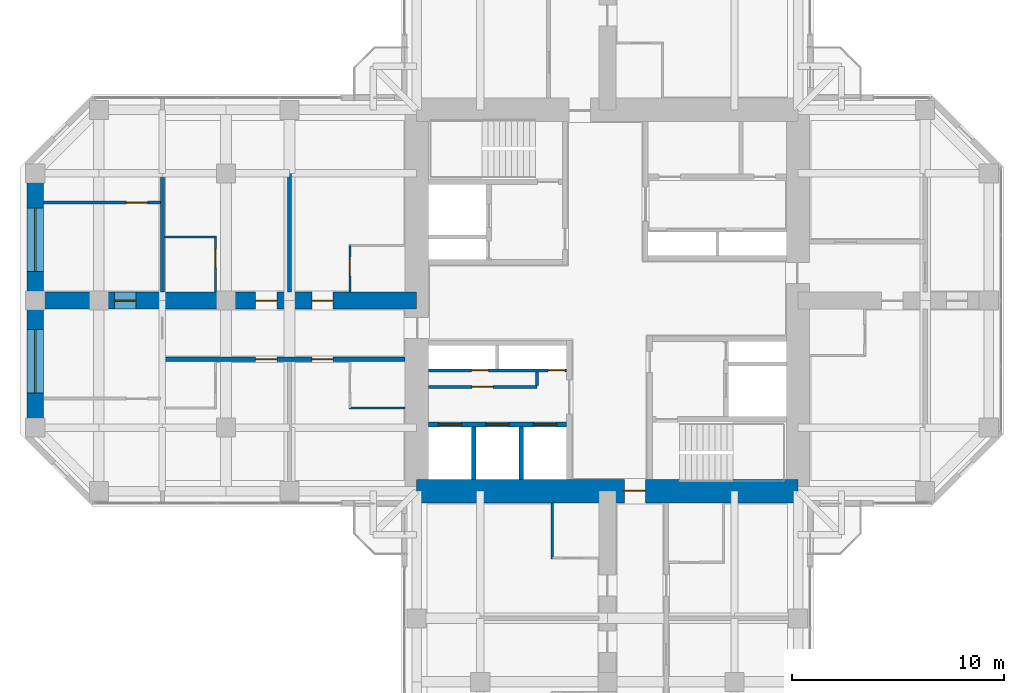
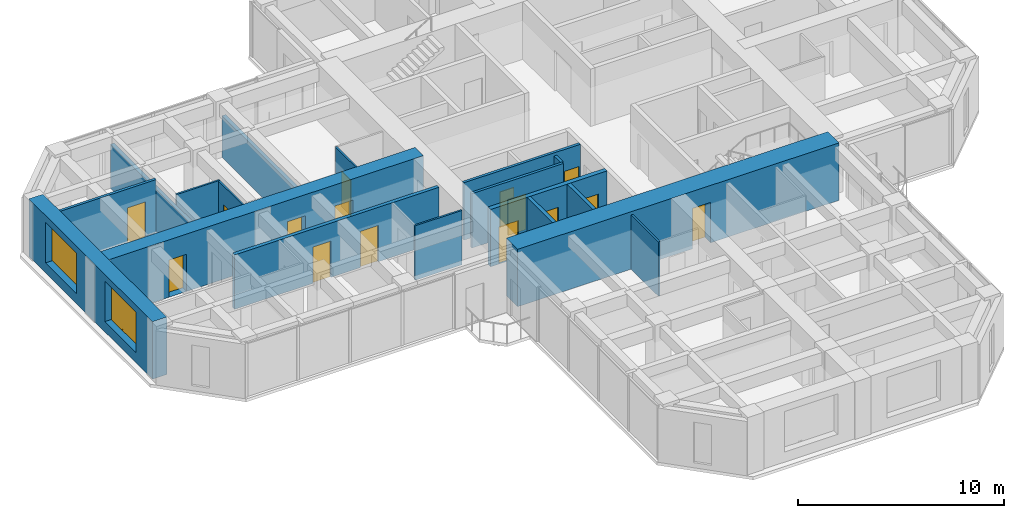
# One storey, part 9 of 13: 18 walls, 15 doors, 2 windows, 17 openings.
"""IFC4 building model written with IfcOpenShell, lengths in metres."""

from ifc_helpers import new_model, si_unit, direction, frame, frame_2d, origin, place, context, subcontext, project, spatial, rectangle, hollow_rectangle, extrude, material, layer, layer_set, constituent, constituent_set, type_object, element, fill, save


model = new_model("IFC4")

# Units and contexts
model_context = context("Model", 3, precision=1e-05, world=origin(), true_north=direction((0.0, 1.0)))
body_context = subcontext(model_context, "Body", "Model", "MODEL_VIEW")
ifc_project = project(units=[si_unit("LENGTHUNIT", "METRE"), si_unit("AREAUNIT", "SQUARE_METRE"), si_unit("VOLUMEUNIT", "CUBIC_METRE"), si_unit("PLANEANGLEUNIT", "RADIAN"), si_unit("MASSUNIT", "GRAM", prefix="KILO")], contexts=[model_context])

# Site, building, storey
site_placement = place(None, origin())
site = spatial("IfcSite", under=ifc_project, at=site_placement, CompositionType="ELEMENT")
building_placement = place(site_placement, origin())
building = spatial("IfcBuilding", under=site, at=building_placement, Name="Torre Cruceta", CompositionType="ELEMENT")
storey_placement = place(building_placement, frame((0.0, 0.0, 193.300048828125)))
storey = spatial("IfcBuildingStorey", under=building, at=storey_placement, Name="L48", CompositionType="ELEMENT", Elevation=193.300048828125)

# Walls
ifc_material_1 = material(Name="Water-resistant plasterboard on steel studs", Category="steel")
ifc_layer_1 = layer(ifc_material_1, 0.10009765625)
ifc_layer_set_1 = layer_set([ifc_layer_1], Name="Water-resistant plasterboard on steel studs")
wall_type_1 = type_object("IfcWallType", Name="BATHROOM WALL 100", PredefinedType="PARTITIONING", material=ifc_layer_set_1)
for number, where, z_axis, x_axis, name in (
    (1, (-2.60009765625, -9.550048828125, 0.0), (0.0, 0.0, 1.0), (0.0, -1.0, 0.0), "PT4 L48-S-U1RBB"),
    (2, (-9.550048828125, -5.074951171875, 0.0), (0.0, 0.0, 1.0), (-1.0, 0.0, 0.0), "PT4 L48-W-U1LBB"),
):
    element("IfcWall", number, at=place(storey_placement, frame(where, z_axis=z_axis, x_axis=x_axis)), inside=storey, type_object=wall_type_1, Name=name, PredefinedType="PARTITIONING", context=body_context, shape_type="SweptSolid", body=[
        extrude(rectangle(XDim=2.64990234375, YDim=0.10009765625, at=frame_2d((1.324951171875, 0.0))), origin(), (0.0, 0.0, 1.0), 3.219970703125),
    ])

# Wall, opening, door
wall_1_placement = place(storey_placement, frame((-12.14990234375, 2.60009765625, 0.0), z_axis=(0.0, 0.0, 1.0), x_axis=(0.0, -1.0, 0.0)))
wall_1 = element("IfcWall", 3, at=wall_1_placement, inside=storey, type_object=wall_type_1, Name="PT4 L48-W-U1RBS", PredefinedType="PARTITIONING", context=body_context, shape_type="SweptSolid", body=[
    extrude(rectangle(XDim=2.2001953125, YDim=0.10009765625, at=frame_2d((1.10009765625, 0.0))), origin(), (0.0, 0.0, 1.0), 3.219970703125),
])
opening_1_placement = place(wall_1_placement, frame((0.550048828125, 0.0, 0.0)))
opening_1 = element("IfcOpeningElement", 4, at=opening_1_placement, cuts=wall_1, Name="Opening D7", PredefinedType="OPENING", context=body_context, shape_type="SweptSolid", body=[
    extrude(rectangle(XDim=0.89990234375, YDim=2.10009765625, at=frame_2d((0.449951171875, 1.050048828125))), frame((0.0, 0.06005859375, 0.0), z_axis=(0.0, -1.0, 0.0), x_axis=(1.0, 0.0, 0.0)), (0.0, 0.0, 1.0), 0.1201171875),
])
ifc_material_2 = material(Name="Timber door", Category="wood")
door_type_1 = type_object("IfcDoorType", Name="BATHROOM DOOR 900X2100", OperationType="SINGLE_SWING_LEFT", PredefinedType="DOOR", material=ifc_material_2)
door_1_placement = place(opening_1_placement, origin())
door_1 = element("IfcDoor", 5, at=door_1_placement, inside=storey, type_object=door_type_1, Name="D7 L48-W-U1RBS-D1", OperationType="SINGLE_SWING_LEFT", OverallHeight=2.10009765625, OverallWidth=0.89990234375, PredefinedType="DOOR", context=body_context, shape_type="SweptSolid", body=[
    extrude(rectangle(XDim=0.89990234375, YDim=2.10009765625, at=frame_2d((0.449951171875, 1.050048828125))), frame((0.0, 0.02490234375, 0.0), z_axis=(0.0, -1.0, 0.0), x_axis=(1.0, 0.0, 0.0)), (0.0, 0.0, 1.0), 0.050048828125),
])
fill(opening_1, door_1)

# Wall
wall_2_placement = place(storey_placement, frame((-18.449951171875, 3.0, 0.0), z_axis=(0.0, 0.0, 1.0), x_axis=(-1.0, 0.0, 0.0)))
element("IfcWall", 6, at=wall_2_placement, inside=storey, type_object=wall_type_1, Name="PT4 L48-W-U2RBB", PredefinedType="PARTITIONING", context=body_context, shape_type="SweptSolid", body=[
    extrude(rectangle(XDim=2.449951171875, YDim=0.10009765625, at=frame_2d((1.22509765625, 0.0))), origin(), (0.0, 0.0, 1.0), 3.219970703125),
])

# Wall, opening, door
wall_3_placement = place(storey_placement, frame((-18.5, 3.0, 0.0), z_axis=(0.0, 0.0, 1.0), x_axis=(0.0, -1.0, 0.0)))
wall_3 = element("IfcWall", 7, at=wall_3_placement, inside=storey, type_object=wall_type_1, Name="PT4 L48-W-U2RBS", PredefinedType="PARTITIONING", context=body_context, shape_type="SweptSolid", body=[
    extrude(rectangle(XDim=2.60009765625, YDim=0.10009765625, at=frame_2d((1.300048828125, 0.0))), origin(), (0.0, 0.0, 1.0), 3.219970703125),
])
opening_2_placement = place(wall_3_placement, frame((0.550048828125, 0.0, 0.0)))
opening_2 = element("IfcOpeningElement", 8, at=opening_2_placement, cuts=wall_3, Name="Opening D7", PredefinedType="OPENING", context=body_context, shape_type="SweptSolid", body=[
    extrude(rectangle(XDim=0.89990234375, YDim=2.10009765625, at=frame_2d((0.449951171875, 1.050048828125))), frame((0.0, 0.06005859375, 0.0), z_axis=(0.0, -1.0, 0.0), x_axis=(1.0, 0.0, 0.0)), (0.0, 0.0, 1.0), 0.1201171875),
])
door_2_placement = place(opening_2_placement, frame((0.89990234375, 0.0, 0.0), z_axis=(0.0, 0.0, 1.0), x_axis=(-1.0, 0.0, 0.0)))
door_2 = element("IfcDoor", 9, at=door_2_placement, inside=storey, type_object=door_type_1, Name="D7 L48-W-U2RBS-D1", OperationType="SINGLE_SWING_RIGHT", OverallHeight=2.10009765625, OverallWidth=0.89990234375, PredefinedType="DOOR", context=body_context, shape_type="SweptSolid", body=[
    extrude(rectangle(XDim=0.89990234375, YDim=2.10009765625, at=frame_2d((0.449951171875, 1.050048828125))), frame((0.0, 0.025146484375, 0.0), z_axis=(0.0, -1.0, 0.0), x_axis=(1.0, 0.0, 0.0)), (0.0, 0.0, 1.0), 0.050048828125),
])
fill(opening_2, door_2)

# Wall, openings, doors
ifc_material_3 = material(Name="Concrete G60 (fck 60 MPa)", Category="concrete")
ifc_layer_2 = layer(ifc_material_3, 0.25)
ifc_layer_set_2 = layer_set([ifc_layer_2], Name="Concrete G60 (fck 60 MPa)")
wall_type_2 = type_object("IfcWallType", Name="CORE INNER WALL 250 G60", PredefinedType="SHEAR", material=ifc_layer_set_2)
wall_4_placement = place(storey_placement, frame((-1.925048828125, -5.85009765625, 0.0), z_axis=(0.0, 0.0, 1.0), x_axis=(-1.0, 0.0, 0.0)))
wall_4 = element("IfcWall", 10, at=wall_4_placement, inside=storey, type_object=wall_type_2, Name="CW4 L48 SW-LV", PredefinedType="SHEAR", context=body_context, shape_type="SweptSolid", body=[
    extrude(rectangle(XDim=6.52490234375, YDim=0.25, at=frame_2d((3.262451171875, 0.0))), origin(), (0.0, 0.0, 1.0), 3.39990234375),
])
opening_3_placement = place(wall_4_placement, frame((0.470947265625, 0.0, 0.0)))
opening_3 = element("IfcOpeningElement", 11, at=opening_3_placement, cuts=wall_4, Name="Opening LD1", PredefinedType="OPENING", context=body_context, shape_type="SweptSolid", body=[
    extrude(rectangle(XDim=1.10009765625, YDim=2.199951171875, at=frame_2d((0.550048828125, 1.10009765625))), frame((0.0, 0.135009765625, 0.0), z_axis=(0.0, -1.0, 0.0), x_axis=(1.0, 0.0, 0.0)), (0.0, 0.0, 1.0), 0.27001953125),
])
opening_4_placement = place(wall_4_placement, frame((2.71240234375, 0.0, 0.0)))
opening_4 = element("IfcOpeningElement", 12, at=opening_4_placement, cuts=wall_4, Name="Opening LD1", PredefinedType="OPENING", context=body_context, shape_type="SweptSolid", body=[
    extrude(rectangle(XDim=1.10009765625, YDim=2.199951171875, at=frame_2d((0.550048828125, 1.10009765625))), frame((0.0, 0.135009765625, 0.0), z_axis=(0.0, -1.0, 0.0), x_axis=(1.0, 0.0, 0.0)), (0.0, 0.0, 1.0), 0.27001953125),
])
opening_5_placement = place(wall_4_placement, frame((4.9541015625, 0.0, 0.0)))
opening_5 = element("IfcOpeningElement", 13, at=opening_5_placement, cuts=wall_4, Name="Opening LD1", PredefinedType="OPENING", context=body_context, shape_type="SweptSolid", body=[
    extrude(rectangle(XDim=1.10009765625, YDim=2.199951171875, at=frame_2d((0.550048828125, 1.10009765625))), frame((0.0, 0.135009765625, 0.0), z_axis=(0.0, -1.0, 0.0), x_axis=(1.0, 0.0, 0.0)), (0.0, 0.0, 1.0), 0.27001953125),
])
ifc_material_4 = material(Name="Stainless steel 1.4401", Category="steel")
door_type_2 = type_object("IfcDoorType", Name="LIFT LANDING DOOR 1100X2200", OperationType="DOUBLE_DOOR_SLIDING", PredefinedType="DOOR", material=ifc_material_4)
door_3_placement = place(opening_3_placement, origin())
door_3 = element("IfcDoor", 14, at=door_3_placement, inside=storey, type_object=door_type_2, Name="Lift landing door R1", OperationType="DOUBLE_DOOR_SLIDING", OverallHeight=2.199951171875, OverallWidth=1.10009765625, PredefinedType="DOOR", context=body_context, shape_type="SweptSolid", body=[
    extrude(rectangle(XDim=1.10009765625, YDim=2.199951171875, at=frame_2d((0.550048828125, 1.10009765625))), frame((0.0, 0.02490234375, 0.0), z_axis=(0.0, -1.0, 0.0), x_axis=(1.0, 0.0, 0.0)), (0.0, 0.0, 1.0), 0.050048828125),
])
fill(opening_3, door_3)
door_4_placement = place(opening_4_placement, origin())
door_4 = element("IfcDoor", 15, at=door_4_placement, inside=storey, type_object=door_type_2, Name="Lift landing door R2", OperationType="DOUBLE_DOOR_SLIDING", OverallHeight=2.199951171875, OverallWidth=1.10009765625, PredefinedType="DOOR", context=body_context, shape_type="SweptSolid", body=[
    extrude(rectangle(XDim=1.10009765625, YDim=2.199951171875, at=frame_2d((0.550048828125, 1.10009765625))), frame((0.0, 0.02490234375, 0.0), z_axis=(0.0, -1.0, 0.0), x_axis=(1.0, 0.0, 0.0)), (0.0, 0.0, 1.0), 0.050048828125),
])
fill(opening_4, door_4)
door_5_placement = place(opening_5_placement, origin())
door_5 = element("IfcDoor", 16, at=door_5_placement, inside=storey, type_object=door_type_2, Name="Lift landing door R3", OperationType="DOUBLE_DOOR_SLIDING", OverallHeight=2.199951171875, OverallWidth=1.10009765625, PredefinedType="DOOR", context=body_context, shape_type="SweptSolid", body=[
    extrude(rectangle(XDim=1.10009765625, YDim=2.199951171875, at=frame_2d((0.550048828125, 1.10009765625))), frame((0.0, 0.02490234375, 0.0), z_axis=(0.0, -1.0, 0.0), x_axis=(1.0, 0.0, 0.0)), (0.0, 0.0, 1.0), 0.050048828125),
])
fill(opening_5, door_5)

# Wall, opening, door
ifc_material_5 = material(Name="Concrete G60 (fck 60 MPa)", Category="concrete")
ifc_layer_3 = layer(ifc_material_5, 1.10009765625)
ifc_layer_set_3 = layer_set([ifc_layer_3], Name="Concrete G60 (fck 60 MPa)")
wall_type_3 = type_object("IfcWallType", Name="CORE WALL 1100 G60", PredefinedType="SHEAR", material=ifc_layer_set_3)
wall_5_placement = place(storey_placement, frame((-9.0, -9.0, 0.0), z_axis=(0.0, 0.0, 1.0), x_axis=(1.0, 0.0, 0.0)))
wall_5 = element("IfcWall", 17, at=wall_5_placement, inside=storey, type_object=wall_type_3, Name="CW2 L48 CW-S", PredefinedType="SHEAR", context=body_context, shape_type="SweptSolid", body=[
    extrude(rectangle(XDim=18.0, YDim=1.10009765625, at=frame_2d((9.0, 0.0))), origin(), (0.0, 0.0, 1.0), 3.39990234375),
])
opening_6_placement = place(wall_5_placement, frame((9.800048828125, 0.0, 0.0)))
opening_6 = element("IfcOpeningElement", 18, at=opening_6_placement, cuts=wall_5, Name="Opening D4", PredefinedType="OPENING", context=body_context, shape_type="SweptSolid", body=[
    extrude(rectangle(XDim=1.0, YDim=2.39990234375, at=frame_2d((0.5, 1.199951171875))), frame((0.0, 0.56005859375, 0.0), z_axis=(0.0, -1.0, 0.0), x_axis=(1.0, 0.0, 0.0)), (0.0, 0.0, 1.0), 1.1201171875),
])
ifc_material_6 = material(Name="Steel DX51D", Category="steel")
ifc_constituent_1 = constituent(ifc_material_6, Name="Leaf and frame")
ifc_material_7 = material(Name="Polyester powder coating", Category="paint")
ifc_constituent_2 = constituent(ifc_material_7, Name="Finish")
ifc_constituent_set_1 = constituent_set(constituents=[ifc_constituent_1, ifc_constituent_2], Name="Steel fire door")
door_type_3 = type_object("IfcDoorType", Name="CORE ARM DOOR 1000X2400", OperationType="SINGLE_SWING_RIGHT", PredefinedType="DOOR", material=ifc_constituent_set_1)
door_6_placement = place(opening_6_placement, origin())
door_6 = element("IfcDoor", 19, at=door_6_placement, inside=storey, type_object=door_type_3, Name="D4 L48 CW-S", OperationType="SINGLE_SWING_RIGHT", OverallHeight=2.39990234375, OverallWidth=1.0, PredefinedType="DOOR", context=body_context, shape_type="SweptSolid", body=[
    extrude(rectangle(XDim=1.0, YDim=2.39990234375, at=frame_2d((0.5, 1.199951171875))), frame((0.0, 0.05517578125, 0.0), z_axis=(0.0, -1.0, 0.0), x_axis=(1.0, 0.0, 0.0)), (0.0, 0.0, 1.0), 0.050048828125),
])
fill(opening_6, door_6)

# Wall, openings, doors
ifc_material_8 = material(Name="Concrete G25 (fck 25 MPa)", Category="concrete")
ifc_layer_4 = layer(ifc_material_8, 0.199951171875)
ifc_layer_set_4 = layer_set([ifc_layer_4], Name="Concrete G25 (fck 25 MPa)")
wall_type_4 = type_object("IfcWallType", Name="CORRIDOR WALL 200", PredefinedType="SOLIDWALL", material=ifc_layer_set_4)
wall_6_placement = place(storey_placement, frame((-9.550048828125, -2.77490234375, 0.0), z_axis=(0.0, 0.0, 1.0), x_axis=(-1.0, 0.0, 0.0)))
wall_6 = element("IfcWall", 20, at=wall_6_placement, inside=storey, type_object=wall_type_4, Name="PT3 L48-W-CL", PredefinedType="SOLIDWALL", context=body_context, shape_type="SweptSolid", body=[
    extrude(rectangle(XDim=11.449951171875, YDim=0.199951171875, at=frame_2d((5.72509765625, 0.0))), origin(), (0.0, 0.0, 1.0), 3.219970703125),
])
opening_7_placement = place(wall_6_placement, frame((3.39990234375, 0.0, 0.0)))
opening_7 = element("IfcOpeningElement", 21, at=opening_7_placement, cuts=wall_6, Name="Opening D6", PredefinedType="OPENING", context=body_context, shape_type="SweptSolid", body=[
    extrude(rectangle(XDim=1.0, YDim=2.14990234375, at=frame_2d((0.5, 1.074951171875))), frame((0.0, 0.10986328125, 0.0), z_axis=(0.0, -1.0, 0.0), x_axis=(1.0, 0.0, 0.0)), (0.0, 0.0, 1.0), 0.219970703125),
])
opening_8_placement = place(wall_6_placement, frame((6.050048828125, 0.0, 0.0)))
opening_8 = element("IfcOpeningElement", 22, at=opening_8_placement, cuts=wall_6, Name="Opening D6", PredefinedType="OPENING", context=body_context, shape_type="SweptSolid", body=[
    extrude(rectangle(XDim=1.0, YDim=2.14990234375, at=frame_2d((0.5, 1.074951171875))), frame((0.0, 0.10986328125, 0.0), z_axis=(0.0, -1.0, 0.0), x_axis=(1.0, 0.0, 0.0)), (0.0, 0.0, 1.0), 0.219970703125),
])
ifc_material_9 = material(Name="Timber fire door", Category="wood")
door_type_4 = type_object("IfcDoorType", Name="UNIT ENTRANCE DOOR 1000X2150", OperationType="SINGLE_SWING_LEFT", PredefinedType="DOOR", material=ifc_material_9)
door_7_placement = place(opening_7_placement, origin())
door_7 = element("IfcDoor", 23, at=door_7_placement, inside=storey, type_object=door_type_4, Name="D6 L48-W-CL-D1", OperationType="SINGLE_SWING_LEFT", OverallHeight=2.14990234375, OverallWidth=1.0, PredefinedType="DOOR", context=body_context, shape_type="SweptSolid", body=[
    extrude(rectangle(XDim=1.0, YDim=2.14990234375, at=frame_2d((0.5, 1.074951171875))), frame((0.0, 0.02490234375, 0.0), z_axis=(0.0, -1.0, 0.0), x_axis=(1.0, 0.0, 0.0)), (0.0, 0.0, 1.0), 0.050048828125),
])
fill(opening_7, door_7)
door_8_placement = place(opening_8_placement, origin())
door_8 = element("IfcDoor", 24, at=door_8_placement, inside=storey, type_object=door_type_4, Name="D6 L48-W-CL-D2", OperationType="SINGLE_SWING_LEFT", OverallHeight=2.14990234375, OverallWidth=1.0, PredefinedType="DOOR", context=body_context, shape_type="SweptSolid", body=[
    extrude(rectangle(XDim=1.0, YDim=2.14990234375, at=frame_2d((0.5, 1.074951171875))), frame((0.0, 0.02490234375, 0.0), z_axis=(0.0, -1.0, 0.0), x_axis=(1.0, 0.0, 0.0)), (0.0, 0.0, 1.0), 0.050048828125),
])
fill(opening_8, door_8)

# Walls
ifc_material_10 = material(Name="Concrete G35 (fck 35 MPa)", Category="concrete")
ifc_layer_5 = layer(ifc_material_10, 0.199951171875)
ifc_layer_set_5 = layer_set([ifc_layer_5], Name="Concrete G35 (fck 35 MPa)")
wall_type_5 = type_object("IfcWallType", Name="LIFT SHAFT WALL 200", PredefinedType="PARTITIONING", material=ifc_layer_set_5)
for number, where, z_axis, x_axis, name in (
    (25, (-4.066650390625, -5.97509765625, 0.0), (0.0, 0.0, 1.0), (0.0, -1.0, 0.0), "SW1 L48 SW-LS1"),
    (26, (-6.308349609375, -5.97509765625, 0.0), (0.0, 0.0, 1.0), (0.0, -1.0, 0.0), "SW1 L48 SW-LS2"),
):
    element("IfcWall", number, at=place(storey_placement, frame(where, z_axis=z_axis, x_axis=x_axis)), inside=storey, type_object=wall_type_5, Name=name, PredefinedType="PARTITIONING", context=body_context, shape_type="SweptSolid", body=[
        extrude(rectangle(XDim=2.474853515625, YDim=0.199951171875, at=frame_2d((1.2373046875, 0.0))), origin(), (0.0, 0.0, 1.0), 3.39990234375),
    ])

# Wall, openings, windows
ifc_material_11 = material(Name="Concrete G60 (fck 60 MPa)", Category="concrete")
ifc_layer_6 = layer(ifc_material_11, 0.800048828125)
ifc_layer_set_6 = layer_set([ifc_layer_6], Name="Concrete G60 (fck 60 MPa)")
wall_type_6 = type_object("IfcWallType", Name="NOSE WALL 800 G60", PredefinedType="SHEAR", material=ifc_layer_set_6)
wall_7_placement = place(storey_placement, frame((-27.0, 6.0, 0.0), z_axis=(0.0, 0.0, 1.0), x_axis=(0.0, -1.0, 0.0)))
wall_7 = element("IfcWall", 27, at=wall_7_placement, inside=storey, type_object=wall_type_6, Name="NW2 nose wall L48 W", PredefinedType="SHEAR", context=body_context, shape_type="SweptSolid", body=[
    extrude(rectangle(XDim=12.0, YDim=0.800048828125, at=frame_2d((6.0, 0.0))), origin(), (0.0, 0.0, 1.0), 3.39990234375),
])
opening_9_placement = place(wall_7_placement, frame((1.625, 0.0, 0.60009765625)))
opening_9 = element("IfcOpeningElement", 28, at=opening_9_placement, cuts=wall_7, Name="Opening WN6", PredefinedType="OPENING", context=body_context, shape_type="SweptSolid", body=[
    extrude(rectangle(XDim=3.0, YDim=2.39990234375, at=frame_2d((1.5, 1.199951171875))), frame((0.0, 0.409912109375, 0.0), z_axis=(0.0, -1.0, 0.0), x_axis=(1.0, 0.0, 0.0)), (0.0, 0.0, 1.0), 0.820068359375),
])
opening_10_placement = place(wall_7_placement, frame((7.375, 0.0, 0.60009765625)))
opening_10 = element("IfcOpeningElement", 29, at=opening_10_placement, cuts=wall_7, Name="Opening WN6", PredefinedType="OPENING", context=body_context, shape_type="SweptSolid", body=[
    extrude(rectangle(XDim=3.0, YDim=2.39990234375, at=frame_2d((1.5, 1.199951171875))), frame((0.0, 0.409912109375, 0.0), z_axis=(0.0, -1.0, 0.0), x_axis=(1.0, 0.0, 0.0)), (0.0, 0.0, 1.0), 0.820068359375),
])
ifc_material_12 = material(Name="Aluminium window frame", Category="aluminium")
ifc_constituent_3 = constituent(ifc_material_12, Name="Frame")
ifc_material_13 = material(Name="Laminated insulating glass unit, low-iron clear", Category="glass")
ifc_constituent_4 = constituent(ifc_material_13, Name="Glazing")
ifc_constituent_set_2 = constituent_set(constituents=[ifc_constituent_3, ifc_constituent_4], Name="Aluminium window")
window_type = type_object("IfcWindowType", Name="NOSE WALL WINDOW 3000X2400", PartitioningType="SINGLE_PANEL", PredefinedType="WINDOW", material=ifc_constituent_set_2)
window_1_placement = place(opening_9_placement, origin())
window_1 = element("IfcWindow", 30, at=window_1_placement, inside=storey, type_object=window_type, Name="WN6 L48 W 1", OverallHeight=2.39990234375, OverallWidth=3.0, PartitioningType="SINGLE_PANEL", PredefinedType="WINDOW", context=body_context, shape_type="SweptSolid", body=[
    extrude(hollow_rectangle(XDim=3.0, YDim=2.39990234375, WallThickness=0.06005859375, at=frame_2d((1.5, 1.199951171875))), frame((0.0, 0.030029296875, 0.0), z_axis=(0.0, -1.0, 0.0), x_axis=(1.0, 0.0, 0.0)), (0.0, 0.0, 1.0), 0.06005859375),
    extrude(rectangle(XDim=2.87890625, YDim=2.27880859375, at=frame_2d((1.5, 1.199951171875))), frame((0.0, 0.030029296875, 0.0), z_axis=(0.0, -1.0, 0.0), x_axis=(1.0, 0.0, 0.0)), (0.0, 0.0, 1.0), 0.06005859375),
])
fill(opening_9, window_1)
window_2_placement = place(opening_10_placement, origin())
window_2 = element("IfcWindow", 31, at=window_2_placement, inside=storey, type_object=window_type, Name="WN6 L48 W 2", OverallHeight=2.39990234375, OverallWidth=3.0, PartitioningType="SINGLE_PANEL", PredefinedType="WINDOW", context=body_context, shape_type="SweptSolid", body=[
    extrude(hollow_rectangle(XDim=3.0, YDim=2.39990234375, WallThickness=0.06005859375, at=frame_2d((1.5, 1.199951171875))), frame((0.0, 0.030029296875, 0.0), z_axis=(0.0, -1.0, 0.0), x_axis=(1.0, 0.0, 0.0)), (0.0, 0.0, 1.0), 0.06005859375),
    extrude(rectangle(XDim=2.87890625, YDim=2.27880859375, at=frame_2d((1.5, 1.199951171875))), frame((0.0, 0.030029296875, 0.0), z_axis=(0.0, -1.0, 0.0), x_axis=(1.0, 0.0, 0.0)), (0.0, 0.0, 1.0), 0.06005859375),
])
fill(opening_10, window_2)

# Wall, opening, door
ifc_material_14 = material(Name="Plasterboard on steel studs", Category="steel")
ifc_layer_7 = layer(ifc_material_14, 0.14990234375)
ifc_layer_set_7 = layer_set([ifc_layer_7], Name="Plasterboard on steel studs")
wall_type_7 = type_object("IfcWallType", Name="PARTITION 150", PredefinedType="PARTITIONING", material=ifc_layer_set_7)
wall_8_placement = place(storey_placement, frame((-3.324951171875, -4.074951171875, 0.0), z_axis=(0.0, 0.0, 1.0), x_axis=(-1.0, 0.0, 0.0)))
wall_8 = element("IfcWall", 32, at=wall_8_placement, inside=storey, type_object=wall_type_7, Name="PT1 L48-CORE-SW-CUPBOARD", PredefinedType="PARTITIONING", context=body_context, shape_type="SweptSolid", body=[
    extrude(rectangle(XDim=5.125, YDim=0.14990234375, at=frame_2d((2.5625, 0.0))), origin(), (0.0, 0.0, 1.0), 3.219970703125),
])
opening_11_placement = place(wall_8_placement, frame((2.0625, 0.0, 0.0)))
opening_11 = element("IfcOpeningElement", 33, at=opening_11_placement, cuts=wall_8, Name="Opening D19", PredefinedType="OPENING", context=body_context, shape_type="SweptSolid", body=[
    extrude(rectangle(XDim=1.0, YDim=2.10009765625, at=frame_2d((0.5, 1.050048828125))), frame((0.0, 0.0849609375, 0.0), z_axis=(0.0, -1.0, 0.0), x_axis=(1.0, 0.0, 0.0)), (0.0, 0.0, 1.0), 0.169921875),
])
ifc_material_15 = material(Name="Timber fire door", Category="wood")
door_type_5 = type_object("IfcDoorType", Name="CUPBOARD PAIR OF DOORS 1000X2100", OperationType="DOUBLE_DOOR_SINGLE_SWING", PredefinedType="DOOR", material=ifc_material_15)
door_9_placement = place(opening_11_placement, frame((1.0, 0.0, 0.0), z_axis=(0.0, 0.0, 1.0), x_axis=(-1.0, 0.0, 0.0)))
door_9 = element("IfcDoor", 34, at=door_9_placement, inside=storey, type_object=door_type_5, Name="D19 L48-CORE-SW-CUPBOARD-D1", OperationType="DOUBLE_DOOR_SINGLE_SWING", OverallHeight=2.10009765625, OverallWidth=1.0, PredefinedType="DOOR", context=body_context, shape_type="SweptSolid", body=[
    extrude(rectangle(XDim=1.0, YDim=2.10009765625, at=frame_2d((0.5, 1.050048828125))), frame((0.0, 0.025146484375, 0.0), z_axis=(0.0, -1.0, 0.0), x_axis=(1.0, 0.0, 0.0)), (0.0, 0.0, 1.0), 0.050048828125),
])
fill(opening_11, door_9)

# Wall
wall_9_placement = place(storey_placement, frame((-3.324951171875, -3.375, 0.0), z_axis=(0.0, 0.0, 1.0), x_axis=(0.0, -1.0, 0.0)))
element("IfcWall", 35, at=wall_9_placement, inside=storey, type_object=wall_type_7, Name="PT1 L48-CORE-SW-CUPBOARDE", PredefinedType="PARTITIONING", context=body_context, shape_type="SweptSolid", body=[
    extrude(rectangle(XDim=0.625, YDim=0.14990234375, at=frame_2d((0.3125, 0.0))), origin(), (0.0, 0.0, 1.0), 3.219970703125),
])

# Wall, opening, door
wall_10_placement = place(storey_placement, frame((-21.10009765625, 4.625, 0.0), z_axis=(0.0, 0.0, 1.0), x_axis=(-1.0, 0.0, 0.0)))
wall_10 = element("IfcWall", 36, at=wall_10_placement, inside=storey, type_object=wall_type_7, Name="PT1 L48-W-END2X", PredefinedType="PARTITIONING", context=body_context, shape_type="SweptSolid", body=[
    extrude(rectangle(XDim=5.5, YDim=0.14990234375, at=frame_2d((2.75, 0.0))), origin(), (0.0, 0.0, 1.0), 3.219970703125),
])
opening_12_placement = place(wall_10_placement, frame((0.60009765625, 0.0, 0.0)))
opening_12 = element("IfcOpeningElement", 37, at=opening_12_placement, cuts=wall_10, Name="Opening D3", PredefinedType="OPENING", context=body_context, shape_type="SweptSolid", body=[
    extrude(rectangle(XDim=1.0, YDim=2.10009765625, at=frame_2d((0.5, 1.050048828125))), frame((0.0, 0.0849609375, 0.0), z_axis=(0.0, -1.0, 0.0), x_axis=(1.0, 0.0, 0.0)), (0.0, 0.0, 1.0), 0.169921875),
])
ifc_material_16 = material(Name="Steel DX51D", Category="steel")
ifc_constituent_5 = constituent(ifc_material_16, Name="Leaf and frame")
ifc_material_17 = material(Name="Polyester powder coating", Category="paint")
ifc_constituent_6 = constituent(ifc_material_17, Name="Finish")
ifc_constituent_set_3 = constituent_set(constituents=[ifc_constituent_5, ifc_constituent_6], Name="Steel fire door")
door_type_6 = type_object("IfcDoorType", Name="FIRE DOOR 1000X2100", OperationType="SINGLE_SWING_LEFT", PredefinedType="DOOR", material=ifc_constituent_set_3)
door_10_placement = place(opening_12_placement, frame((1.0, 0.0, 0.0), z_axis=(0.0, 0.0, 1.0), x_axis=(-1.0, 0.0, 0.0)))
door_10 = element("IfcDoor", 38, at=door_10_placement, inside=storey, type_object=door_type_6, Name="D3 L48-W-END2X-D1", OperationType="SINGLE_SWING_RIGHT", OverallHeight=2.10009765625, OverallWidth=1.0, PredefinedType="DOOR", context=body_context, shape_type="SweptSolid", body=[
    extrude(rectangle(XDim=1.0, YDim=2.10009765625, at=frame_2d((0.5, 1.050048828125))), frame((0.0, 0.025146484375, 0.0), z_axis=(0.0, -1.0, 0.0), x_axis=(1.0, 0.0, 0.0)), (0.0, 0.0, 1.0), 0.050048828125),
])
fill(opening_12, door_10)

# Wall, openings, doors
ifc_material_18 = material(Name="Concrete block masonry", Category="masonry")
ifc_layer_8 = layer(ifc_material_18, 0.14990234375)
ifc_layer_set_8 = layer_set([ifc_layer_8], Name="Concrete block masonry")
wall_type_8 = type_object("IfcWallType", Name="RISER WALL 150", PredefinedType="PARTITIONING", material=ifc_layer_set_8)
wall_11_placement = place(storey_placement, frame((-1.925048828125, -3.300048828125, 0.0), z_axis=(0.0, 0.0, 1.0), x_axis=(-1.0, 0.0, 0.0)))
wall_11 = element("IfcWall", 39, at=wall_11_placement, inside=storey, type_object=wall_type_8, Name="SW7 L48 SW-RV", PredefinedType="PARTITIONING", context=body_context, shape_type="SweptSolid", body=[
    extrude(rectangle(XDim=6.52490234375, YDim=0.14990234375, at=frame_2d((3.262451171875, 0.0))), origin(), (0.0, 0.0, 1.0), 3.39990234375),
])
opening_13_placement = place(wall_11_placement, frame((0.074951171875, 0.0, 0.0)))
opening_13 = element("IfcOpeningElement", 40, at=opening_13_placement, cuts=wall_11, Name="Opening D5", PredefinedType="OPENING", context=body_context, shape_type="SweptSolid", body=[
    extrude(rectangle(XDim=0.800048828125, YDim=2.10009765625, at=frame_2d((0.39990234375, 1.050048828125))), frame((0.0, 0.0849609375, 0.0), z_axis=(0.0, -1.0, 0.0), x_axis=(1.0, 0.0, 0.0)), (0.0, 0.0, 1.0), 0.169921875),
])
opening_14_placement = place(wall_11_placement, frame((3.675048828125, 0.0, 0.0)))
opening_14 = element("IfcOpeningElement", 41, at=opening_14_placement, cuts=wall_11, Name="Opening D5", PredefinedType="OPENING", context=body_context, shape_type="SweptSolid", body=[
    extrude(rectangle(XDim=0.800048828125, YDim=2.10009765625, at=frame_2d((0.39990234375, 1.050048828125))), frame((0.0, 0.0849609375, 0.0), z_axis=(0.0, -1.0, 0.0), x_axis=(1.0, 0.0, 0.0)), (0.0, 0.0, 1.0), 0.169921875),
])
ifc_material_19 = material(Name="Steel DX51D", Category="steel")
ifc_constituent_7 = constituent(ifc_material_19, Name="Leaf and frame")
ifc_material_20 = material(Name="Polyester powder coating", Category="paint")
ifc_constituent_8 = constituent(ifc_material_20, Name="Finish")
ifc_constituent_set_4 = constituent_set(constituents=[ifc_constituent_7, ifc_constituent_8], Name="Steel fire door")
door_type_7 = type_object("IfcDoorType", Name="RISER ACCESS DOOR 800X2100", OperationType="SINGLE_SWING_LEFT", PredefinedType="DOOR", material=ifc_constituent_set_4)
door_11_placement = place(opening_13_placement, frame((0.800048828125, 0.0, 0.0), z_axis=(0.0, 0.0, 1.0), x_axis=(-1.0, 0.0, 0.0)))
door_11 = element("IfcDoor", 42, at=door_11_placement, inside=storey, type_object=door_type_7, Name="D5 L48 SW-RISER1", OperationType="SINGLE_SWING_RIGHT", OverallHeight=2.10009765625, OverallWidth=0.800048828125, PredefinedType="DOOR", context=body_context, shape_type="SweptSolid", body=[
    extrude(rectangle(XDim=0.800048828125, YDim=2.10009765625, at=frame_2d((0.400146484375, 1.050048828125))), frame((0.0, 0.025146484375, 0.0), z_axis=(0.0, -1.0, 0.0), x_axis=(1.0, 0.0, 0.0)), (0.0, 0.0, 1.0), 0.050048828125),
])
fill(opening_13, door_11)
door_12_placement = place(opening_14_placement, frame((0.800048828125, 0.0, 0.0), z_axis=(0.0, 0.0, 1.0), x_axis=(-1.0, 0.0, 0.0)))
door_12 = element("IfcDoor", 43, at=door_12_placement, inside=storey, type_object=door_type_7, Name="D5 L48 SW-RISER2", OperationType="SINGLE_SWING_RIGHT", OverallHeight=2.10009765625, OverallWidth=0.800048828125, PredefinedType="DOOR", context=body_context, shape_type="SweptSolid", body=[
    extrude(rectangle(XDim=0.800048828125, YDim=2.10009765625, at=frame_2d((0.400146484375, 1.050048828125))), frame((0.0, 0.025146484375, 0.0), z_axis=(0.0, -1.0, 0.0), x_axis=(1.0, 0.0, 0.0)), (0.0, 0.0, 1.0), 0.050048828125),
])
fill(opening_14, door_12)

ifc_material_21 = material(Name="Concrete G60 (fck 60 MPa)", Category="concrete")
ifc_layer_9 = layer(ifc_material_21, 0.800048828125)
ifc_layer_set_9 = layer_set([ifc_layer_9], Name="Concrete G60 (fck 60 MPa)")
wall_type_9 = type_object("IfcWallType", Name="SPINE WALL 800 G60", PredefinedType="SHEAR", material=ifc_layer_set_9)
wall_12_placement = place(storey_placement, frame((-9.0, 0.0, 0.0), z_axis=(0.0, 0.0, 1.0), x_axis=(-1.0, 0.0, 0.0)))
wall_12 = element("IfcWall", 44, at=wall_12_placement, inside=storey, type_object=wall_type_9, Name="SW4 spine wall L48 W", PredefinedType="SHEAR", context=body_context, shape_type="SweptSolid", body=[
    extrude(rectangle(XDim=18.0, YDim=0.800048828125, at=frame_2d((9.0, 0.0))), origin(), (0.0, 0.0, 1.0), 3.39990234375),
])
opening_15_placement = place(wall_12_placement, frame((3.949951171875, 0.0, 0.0)))
opening_15 = element("IfcOpeningElement", 45, at=opening_15_placement, cuts=wall_12, Name="Opening D6", PredefinedType="OPENING", context=body_context, shape_type="SweptSolid", body=[
    extrude(rectangle(XDim=1.0, YDim=2.14990234375, at=frame_2d((0.5, 1.074951171875))), frame((0.0, 0.409912109375, 0.0), z_axis=(0.0, -1.0, 0.0), x_axis=(1.0, 0.0, 0.0)), (0.0, 0.0, 1.0), 0.820068359375),
])
opening_16_placement = place(wall_12_placement, frame((6.60009765625, 0.0, 0.0)))
opening_16 = element("IfcOpeningElement", 46, at=opening_16_placement, cuts=wall_12, Name="Opening D6", PredefinedType="OPENING", context=body_context, shape_type="SweptSolid", body=[
    extrude(rectangle(XDim=1.0, YDim=2.14990234375, at=frame_2d((0.5, 1.074951171875))), frame((0.0, 0.409912109375, 0.0), z_axis=(0.0, -1.0, 0.0), x_axis=(1.0, 0.0, 0.0)), (0.0, 0.0, 1.0), 0.820068359375),
])
opening_17_placement = place(wall_12_placement, frame((13.25, 0.0, 0.0)))
opening_17 = element("IfcOpeningElement", 47, at=opening_17_placement, cuts=wall_12, Name="Opening D14", PredefinedType="OPENING", context=body_context, shape_type="SweptSolid", body=[
    extrude(rectangle(XDim=1.0, YDim=2.199951171875, at=frame_2d((0.5, 1.10009765625))), frame((0.0, 0.409912109375, 0.0), z_axis=(0.0, -1.0, 0.0), x_axis=(1.0, 0.0, 0.0)), (0.0, 0.0, 1.0), 0.820068359375),
])
ifc_material_22 = material(Name="Steel DX51D", Category="steel")
ifc_constituent_9 = constituent(ifc_material_22, Name="Leaf and frame")
ifc_material_23 = material(Name="Polyester powder coating", Category="paint")
ifc_constituent_10 = constituent(ifc_material_23, Name="Finish")
ifc_material_24 = material(Name="Fire-resisting glass", Category="glass")
ifc_constituent_11 = constituent(ifc_material_24, Name="Vision panel")
ifc_constituent_set_5 = constituent_set(constituents=[ifc_constituent_9, ifc_constituent_10, ifc_constituent_11], Name="Steel fire door with vision panel")
door_type_8 = type_object("IfcDoorType", Name="FIRE DOOR VISION PANEL 1000X2200", OperationType="SINGLE_SWING_RIGHT", PredefinedType="DOOR", material=ifc_constituent_set_5)
door_13_placement = place(opening_17_placement, origin())
door_13 = element("IfcDoor", 48, at=door_13_placement, inside=storey, type_object=door_type_8, Name="D14 L48-W-SP3", OperationType="SINGLE_SWING_LEFT", OverallHeight=2.199951171875, OverallWidth=1.0, PredefinedType="DOOR", context=body_context, shape_type="SweptSolid", body=[
    extrude(rectangle(XDim=1.0, YDim=2.199951171875, at=frame_2d((0.5, 1.10009765625))), frame((0.0, 0.02490234375, 0.0), z_axis=(0.0, -1.0, 0.0), x_axis=(1.0, 0.0, 0.0)), (0.0, 0.0, 1.0), 0.050048828125),
])
fill(opening_17, door_13)
door_14_placement = place(opening_15_placement, frame((1.0, 0.0, 0.0), z_axis=(0.0, 0.0, 1.0), x_axis=(-1.0, 0.0, 0.0)))
door_14 = element("IfcDoor", 49, at=door_14_placement, inside=storey, type_object=door_type_4, Name="D6 L48-W-SP1", OperationType="SINGLE_SWING_RIGHT", OverallHeight=2.14990234375, OverallWidth=1.0, PredefinedType="DOOR", context=body_context, shape_type="SweptSolid", body=[
    extrude(rectangle(XDim=1.0, YDim=2.14990234375, at=frame_2d((0.5, 1.074951171875))), frame((0.0, 0.025146484375, 0.0), z_axis=(0.0, -1.0, 0.0), x_axis=(1.0, 0.0, 0.0)), (0.0, 0.0, 1.0), 0.050048828125),
])
fill(opening_15, door_14)
door_15_placement = place(opening_16_placement, frame((1.0, 0.0, 0.0), z_axis=(0.0, 0.0, 1.0), x_axis=(-1.0, 0.0, 0.0)))
door_15 = element("IfcDoor", 50, at=door_15_placement, inside=storey, type_object=door_type_4, Name="D6 L48-W-SP2", OperationType="SINGLE_SWING_RIGHT", OverallHeight=2.14990234375, OverallWidth=1.0, PredefinedType="DOOR", context=body_context, shape_type="SweptSolid", body=[
    extrude(rectangle(XDim=1.0, YDim=2.14990234375, at=frame_2d((0.5, 1.074951171875))), frame((0.0, 0.025146484375, 0.0), z_axis=(0.0, -1.0, 0.0), x_axis=(1.0, 0.0, 0.0)), (0.0, 0.0, 1.0), 0.050048828125),
])
fill(opening_16, door_15)

# Walls
ifc_material_25 = material(Name="Concrete G25 (fck 25 MPa)", Category="concrete")
ifc_layer_10 = layer(ifc_material_25, 0.199951171875)
ifc_layer_set_10 = layer_set([ifc_layer_10], Name="Concrete G25 (fck 25 MPa)")
wall_type_10 = type_object("IfcWallType", Name="UNIT SEPARATING WALL 200", PredefinedType="SOLIDWALL", material=ifc_layer_set_10)
wall_13_placement = place(storey_placement, frame((-15.0, 8.550048828125, 0.0), z_axis=(0.0, 0.0, 1.0), x_axis=(0.0, -1.0, 0.0)))
element("IfcWall", 51, at=wall_13_placement, inside=storey, type_object=wall_type_10, Name="PT2 L48-W-P1R", PredefinedType="SOLIDWALL", context=body_context, shape_type="SweptSolid", body=[
    extrude(rectangle(XDim=8.150146484375, YDim=0.199951171875, at=frame_2d((4.0751953125, 0.0))), origin(), (0.0, 0.0, 1.0), 2.469970703125),
])
wall_14_placement = place(storey_placement, frame((-21.0, 9.0, 0.0), z_axis=(0.0, 0.0, 1.0), x_axis=(0.0, -1.0, 0.0)))
element("IfcWall", 52, at=wall_14_placement, inside=storey, type_object=wall_type_10, Name="PT2 L48-W-ENDa 2", PredefinedType="SOLIDWALL", context=body_context, shape_type="SweptSolid", body=[
    extrude(rectangle(XDim=8.60009765625, YDim=0.199951171875, at=frame_2d((4.300048828125, 0.0))), origin(), (0.0, 0.0, 1.0), 2.619873046875),
])

save(model, "model.ifc")
